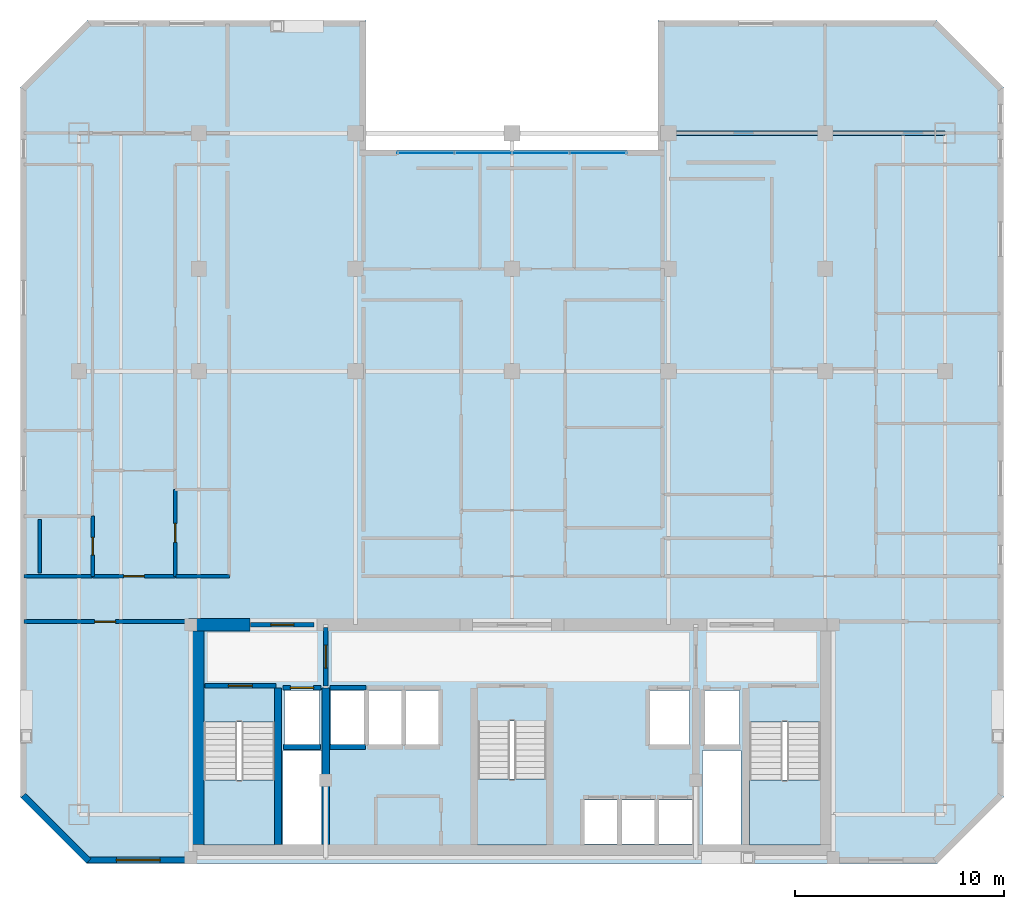
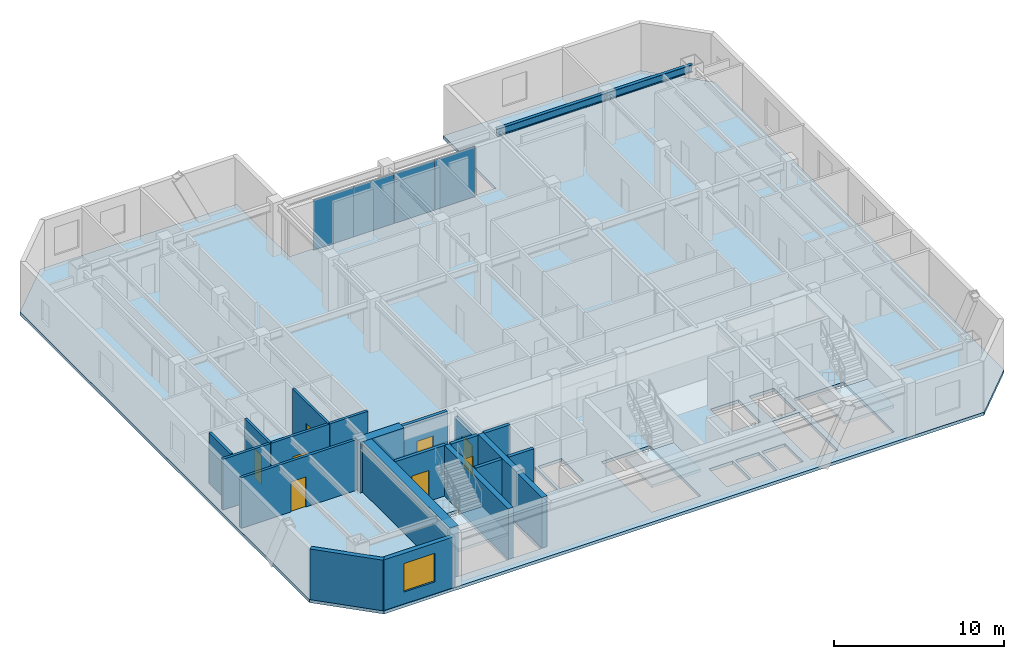
# One storey, part 4 of 10: 20 walls, 8 doors, 4 plates, 4 slabs, 2 beams, 1 window, 9 openings, 4 elements without a shape of their own.
"""IFC4 building model written with IfcOpenShell, lengths in metres."""

import ifcopenshell
import ifcopenshell.guid

model = None  # the IFC model being written
_history = None  # IfcOwnerHistory: only IFC2X3 demands one
_inside = {}  # id of a spatial element -> (the spatial element, [elements in it])
_under = {}  # id of a project, library or spatial element -> (it, [spatial elements below it])
_declared = {}  # id of a project -> (the project, [libraries it declares])
_typed = {}  # id of a type object -> (the type object, [elements of that type])
_made_of = {}  # id of a material, layer set ... -> (it, [elements and type objects made of it])


def new_model(schema):
    """Start an empty IFC model of exactly this schema.

    Asked for "IFC4X3", IfcOpenShell would pick the latest addendum, in which some entities
    have other attributes; the version numbers below select the first issue.
    IFC2X3 requires an IfcOwnerHistory on every rooted entity: one is made here for all.
    """
    global model, _history
    if schema == "IFC4X3":
        model = ifcopenshell.file(schema_version=(4, 3, 0, 0))
    else:
        model = ifcopenshell.file(schema=schema)
    _inside.clear()
    _under.clear()
    _declared.clear()
    _typed.clear()
    _made_of.clear()
    _history = None
    if model.schema == "IFC2X3":
        org = make("IfcOrganization", Name="unknown")
        user = make(
            "IfcPersonAndOrganization",
            ThePerson=make("IfcPerson", FamilyName="unknown"),
            TheOrganization=org,
        )
        app = make(
            "IfcApplication",
            ApplicationDeveloper=org,
            Version="unknown",
            ApplicationFullName="unknown",
            ApplicationIdentifier="unknown",
        )
        _history = make(
            "IfcOwnerHistory",
            OwningUser=user,
            OwningApplication=app,
            ChangeAction="ADDED",
            CreationDate=0,
        )
    return model


def make(cls, **values):
    """One entity of the class cls with the attributes given. An attribute that is None is left unset."""
    return model.create_entity(
        cls, **{name: value for name, value in values.items() if value is not None}
    )


def rooted(cls, **values):
    """An entity with a GlobalId (a new one), such as an element, a storey or a relation."""
    return make(cls, GlobalId=ifcopenshell.guid.new(), OwnerHistory=_history, **values)


def si_unit(unit_type, name, prefix=None):
    """IfcSIUnit, for example si_unit("LENGTHUNIT", "METRE", prefix="MILLI")."""
    return make("IfcSIUnit", UnitType=unit_type, Prefix=prefix, Name=name)


def assignment(units):
    """IfcUnitAssignment: the units of a project."""
    return None if units is None else make("IfcUnitAssignment", Units=units)


def point(xyz):
    """IfcCartesianPoint."""
    return None if xyz is None else make("IfcCartesianPoint", Coordinates=xyz)


def direction(xyz):
    """IfcDirection."""
    return None if xyz is None else make("IfcDirection", DirectionRatios=xyz)


def frame(location, z_axis=None, x_axis=None):
    """IfcAxis2Placement3D, a coordinate frame: its origin and axes. An axis left out is left unset."""
    return make(
        "IfcAxis2Placement3D",
        Location=point(location),
        Axis=direction(z_axis),
        RefDirection=direction(x_axis),
    )


def frame_2d(location, x_axis=None):
    """IfcAxis2Placement2D, a coordinate frame in the plane: its origin and x axis."""
    return make(
        "IfcAxis2Placement2D", Location=point(location), RefDirection=direction(x_axis)
    )


def origin():
    """The frame at (0, 0, 0) with its axes left unset."""
    return frame((0.0, 0.0, 0.0))


def origin_2d():
    """The frame at (0, 0) in the plane with its x axis left unset."""
    return frame_2d((0.0, 0.0))


def place(relative_to, where):
    """IfcLocalPlacement: puts the frame where relative to a parent placement (None: the world)."""
    return make(
        "IfcLocalPlacement", PlacementRelTo=relative_to, RelativePlacement=where
    )


def context(
    kind, dimensions, precision=None, world=None, true_north=None, identifier=None
):
    """IfcGeometricRepresentationContext, for example the 3D "Model" context."""
    return make(
        "IfcGeometricRepresentationContext",
        ContextIdentifier=identifier,
        ContextType=kind,
        CoordinateSpaceDimension=dimensions,
        Precision=precision,
        WorldCoordinateSystem=world,
        TrueNorth=true_north,
    )


def subcontext(parent, identifier, kind, view, scale=None):
    """IfcGeometricRepresentationSubContext, for example "Body" below "Model"."""
    return make(
        "IfcGeometricRepresentationSubContext",
        ContextIdentifier=identifier,
        ContextType=kind,
        ParentContext=parent,
        TargetScale=scale,
        TargetView=view,
    )


def project(units=None, contexts=None):
    """IfcProject with its units and contexts."""
    return rooted(
        "IfcProject",
        Name="project",
        RepresentationContexts=contexts,
        UnitsInContext=assignment(units),
    )


def spatial(cls, under=None, at=None, **own):
    """A site, building, storey or space (cls), placed at a placement, below another one or the project."""
    s = rooted(cls, ObjectPlacement=at, **own)
    if under is not None:
        _under.setdefault(under.id(), (under, []))[1].append(s)
    return s


def polyline(points):
    """IfcPolyline through the points."""
    return make("IfcPolyline", Points=[point(p) for p in points])


def profile(cls, at=None, kind="AREA", **sizes):
    """A parametric profile (cls). Its sizes go by their IFC names, for example OverallWidth=200.0."""
    return make(cls, ProfileType=kind, Position=at, **sizes)


def rectangle(**sizes):
    """IfcRectangleProfileDef."""
    return profile("IfcRectangleProfileDef", **sizes)


def i_section(**sizes):
    """IfcIShapeProfileDef."""
    return profile("IfcIShapeProfileDef", **sizes)


def outline(outer, holes=None, kind="AREA"):
    """IfcArbitraryClosedProfileDef: a profile drawn as a closed curve; with holes, ...WithVoids."""
    if holes is None:
        return make("IfcArbitraryClosedProfileDef", ProfileType=kind, OuterCurve=outer)
    return make(
        "IfcArbitraryProfileDefWithVoids",
        ProfileType=kind,
        OuterCurve=outer,
        InnerCurves=holes,
    )


def extrude(swept, where, along, depth):
    """IfcExtrudedAreaSolid: the profile swept, set in the frame where, extruded along a direction by depth."""
    return make(
        "IfcExtrudedAreaSolid",
        SweptArea=swept,
        Position=where,
        ExtrudedDirection=direction(along),
        Depth=depth,
    )


def shape(context_of_items, identifier, shape_type, items):
    """IfcShapeRepresentation: the items that make up one representation, for example the "Body"."""
    return make(
        "IfcShapeRepresentation",
        ContextOfItems=context_of_items,
        RepresentationIdentifier=identifier,
        RepresentationType=shape_type,
        Items=items,
    )


def material(Name=None, Category=None):
    """IfcMaterial."""
    return make("IfcMaterial", Name=Name, Category=Category)


def layer(
    of_material, thickness, ventilated=None, Name=None, Category=None, Priority=None
):
    """IfcMaterialLayer: one layer of a wall or slab, of a material (None: an air gap)."""
    return make(
        "IfcMaterialLayer",
        Material=of_material,
        LayerThickness=thickness,
        IsVentilated=ventilated,
        Name=Name,
        Category=Category,
        Priority=Priority,
    )


def layer_set(layers, Name=None):
    """IfcMaterialLayerSet."""
    return make("IfcMaterialLayerSet", MaterialLayers=layers, LayerSetName=Name)


def material_profile(
    of_material, cross_section, Name=None, Category=None, Priority=None
):
    """IfcMaterialProfile: a cross section and its material."""
    return make(
        "IfcMaterialProfile",
        Name=Name,
        Material=of_material,
        Profile=cross_section,
        Priority=Priority,
        Category=Category,
    )


def profile_set(profiles, Name=None, composite=None):
    """IfcMaterialProfileSet."""
    return make(
        "IfcMaterialProfileSet",
        Name=Name,
        MaterialProfiles=profiles,
        CompositeProfile=composite,
    )


def made_of(thing, what):
    """Note that an element or type object is made of a material, layer set ...; save() writes the relation."""
    if what is not None:
        _made_of.setdefault(what.id(), (what, []))[1].append(thing)
    return thing


def type_object(cls, material=None, **own):
    """A type object (cls), such as IfcWallType, which elements share."""
    return made_of(rooted(cls, **own), material)


def element(
    cls,
    number,
    at=None,
    inside=None,
    cuts=None,
    type_object=None,
    material=None,
    context=None,
    identifier="Body",
    shape_type=None,
    held_by="IfcProductDefinitionShape",
    body=None,
    shapes=None,
    **own,
):
    """One element of the class cls, such as IfcWall. Its Tag is "e" and its number.

    at: its placement. inside: the storey or other place that contains it. cuts: it is an
    opening in that element (IfcRelVoidsElement). A single representation is given by context,
    identifier, shape_type and body (its items); several are given by shapes. held_by: the class
    of the entity that holds the representations. save() writes the other relations.
    """
    e = rooted(cls, Tag="e%d" % number, ObjectPlacement=at, **own)
    if body is not None:
        shapes = [shape(context, identifier, shape_type, body)]
    if shapes is not None:
        e.Representation = make(held_by, Representations=shapes)
    if inside is not None:
        _inside.setdefault(inside.id(), (inside, []))[1].append(e)
    if cuts is not None:
        rooted(
            "IfcRelVoidsElement", RelatingBuildingElement=cuts, RelatedOpeningElement=e
        )
    if type_object is not None:
        _typed.setdefault(type_object.id(), (type_object, []))[1].append(e)
    return made_of(e, material)


def fill(opening, filler):
    """IfcRelFillsElement: the door or window that sits in an opening."""
    return rooted(
        "IfcRelFillsElement",
        RelatingOpeningElement=opening,
        RelatedBuildingElement=filler,
    )


def aggregate(whole, parts):
    """IfcRelAggregates: a whole, such as a stair, and the parts it consists of."""
    return rooted("IfcRelAggregates", RelatingObject=whole, RelatedObjects=parts)


def save(model, path):
    """Write the relations noted so far, then the file.

    IfcRelAggregates (storeys below a building ...), IfcRelContainedInSpatialStructure (elements
    in a storey), IfcRelDefinesByType, IfcRelAssociatesMaterial and IfcRelDeclares: one each for
    every whole, place, type object, material and project.
    """
    for whole, parts in _under.values():
        aggregate(whole, parts)
    for where, things in _inside.values():
        rooted(
            "IfcRelContainedInSpatialStructure",
            RelatedElements=things,
            RelatingStructure=where,
        )
    for kind, things in _typed.values():
        rooted("IfcRelDefinesByType", RelatedObjects=things, RelatingType=kind)
    for what, things in _made_of.values():
        rooted("IfcRelAssociatesMaterial", RelatedObjects=things, RelatingMaterial=what)
    for by, libraries in _declared.values():
        rooted("IfcRelDeclares", RelatingContext=by, RelatedDefinitions=libraries)
    model.write(path)


model = new_model("IFC4")

# Units and contexts
model_context = context("Model", 3, precision=1e-05, world=origin(), true_north=direction((0.0, 1.0)))
body_context = subcontext(model_context, "Body", "Model", "MODEL_VIEW")
ifc_project = project(units=[si_unit("LENGTHUNIT", "METRE"), si_unit("AREAUNIT", "SQUARE_METRE"), si_unit("VOLUMEUNIT", "CUBIC_METRE"), si_unit("PLANEANGLEUNIT", "RADIAN"), si_unit("MASSUNIT", "GRAM", prefix="KILO")], contexts=[model_context])

# Site, building, storey
site_placement = place(None, origin())
site = spatial("IfcSite", under=ifc_project, at=site_placement, CompositionType="ELEMENT")
building_placement = place(site_placement, origin())
building = spatial("IfcBuilding", under=site, at=building_placement, Name="Ventersveld Concourse Tower", CompositionType="ELEMENT")
storey_placement = place(building_placement, frame((0.0, 0.0, 208.0)))
storey = spatial("IfcBuildingStorey", under=building, at=storey_placement, Name="L51", CompositionType="ELEMENT", Elevation=208.0)

# Beams
ifc_material_1 = material(Name="Structural steel S355J2", Category="steel")
ifc_material_profile = material_profile(ifc_material_1, i_section(OverallWidth=0.2119140625, OverallDepth=0.54443359375, WebThickness=0.0126953125, FlangeThickness=0.021240234375, FilletRadius=0.0126953125, at=origin_2d()), Name="UB 533x210x122")
ifc_profile_set = profile_set([ifc_material_profile], Name="Structural steel S355J2")
beam_type = type_object("IfcBeamType", Name="GRD-UB533H", PredefinedType="T_BEAM", material=ifc_profile_set)
beam_1_placement = place(storey_placement, frame((36.25, 35.0, 3.357666015625), z_axis=(1.0, 0.0, 0.0), x_axis=(0.0, 1.0, 0.0)))
element("IfcBeam", 1, at=beam_1_placement, inside=storey, type_object=beam_type, Name="L51 E-W Grid Girder Y=35.00 #5", PredefinedType="T_BEAM", context=body_context, shape_type="SweptSolid", body=[
    extrude(i_section(OverallWidth=0.2119140625, OverallDepth=0.54443359375, WebThickness=0.0126953125, FlangeThickness=0.021240234375, FilletRadius=0.0126953125, at=origin_2d()), origin(), (0.0, 0.0, 1.0), 7.5),
])
beam_2_placement = place(storey_placement, frame((43.75, 35.0, 3.357666015625), z_axis=(1.0, 0.0, 0.0), x_axis=(0.0, 1.0, 0.0)))
element("IfcBeam", 2, at=beam_2_placement, inside=storey, type_object=beam_type, Name="L51 E-W Grid Girder Y=35.00 #6", PredefinedType="T_BEAM", context=body_context, shape_type="SweptSolid", body=[
    extrude(i_section(OverallWidth=0.2119140625, OverallDepth=0.54443359375, WebThickness=0.0126953125, FlangeThickness=0.021240234375, FilletRadius=0.0126953125, at=origin_2d()), origin(), (0.0, 0.0, 1.0), 5.75),
])

# Curtain wall, plates
ifc_material_2 = material(Name="Anodised aluminium EN AW-6063-T6", Category="aluminium")
curtain_wall_type = type_object("IfcCurtainWallType", Name="CW-SG-4", PredefinedType="NOTDEFINED", material=ifc_material_2)
curtain_wall_placement = place(storey_placement, origin())
curtain_wall = element("IfcCurtainWall", 3, at=curtain_wall_placement, inside=storey, type_object=curtain_wall_type, Name="L51 L51 Sky Garden Recessed Curtain Wall", PredefinedType="NOTDEFINED")
ifc_material_3 = material(Name="Low-E double glazing IGU", Category="glass")
ifc_layer_1 = layer(ifc_material_3, 0.02392578125)
ifc_layer_set_1 = layer_set([ifc_layer_1], Name="Low-E double glazing IGU")
plate_type = type_object("IfcPlateType", Name="CWP-GLZ-24", PredefinedType="CURTAIN_PANEL", material=ifc_layer_set_1)
plate_1_placement = place(storey_placement, frame((24.625, 34.050048828125, 0.02001953125), z_axis=(0.0, 0.0, 1.0), x_axis=(1.0, 0.0, 0.0)))
plate_1 = element("IfcPlate", 4, at=plate_1_placement, type_object=plate_type, Name="CW-L51-SG Glazed Panel 01-1", PredefinedType="CURTAIN_PANEL", context=body_context, shape_type="SweptSolid", body=[
    extrude(rectangle(XDim=2.739990234375, YDim=0.02392578125, at=origin_2d()), origin(), (0.0, 0.0, 1.0), 3.590087890625),
])
plate_2_placement = place(storey_placement, frame((27.375, 34.050048828125, 0.02001953125), z_axis=(0.0, 0.0, 1.0), x_axis=(1.0, 0.0, 0.0)))
plate_2 = element("IfcPlate", 5, at=plate_2_placement, type_object=plate_type, Name="CW-L51-SG Glazed Panel 02-1", PredefinedType="CURTAIN_PANEL", context=body_context, shape_type="SweptSolid", body=[
    extrude(rectangle(XDim=2.739990234375, YDim=0.02392578125, at=origin_2d()), origin(), (0.0, 0.0, 1.0), 3.590087890625),
])
plate_3_placement = place(storey_placement, frame((30.125, 34.050048828125, 0.02001953125), z_axis=(0.0, 0.0, 1.0), x_axis=(1.0, 0.0, 0.0)))
plate_3 = element("IfcPlate", 6, at=plate_3_placement, type_object=plate_type, Name="CW-L51-SG Glazed Panel 03-1", PredefinedType="CURTAIN_PANEL", context=body_context, shape_type="SweptSolid", body=[
    extrude(rectangle(XDim=2.739990234375, YDim=0.02392578125, at=origin_2d()), origin(), (0.0, 0.0, 1.0), 3.590087890625),
])
plate_4_placement = place(storey_placement, frame((32.875, 34.050048828125, 0.02001953125), z_axis=(0.0, 0.0, 1.0), x_axis=(1.0, 0.0, 0.0)))
plate_4 = element("IfcPlate", 7, at=plate_4_placement, type_object=plate_type, Name="CW-L51-SG Glazed Panel 04-1", PredefinedType="CURTAIN_PANEL", context=body_context, shape_type="SweptSolid", body=[
    extrude(rectangle(XDim=2.739990234375, YDim=0.02392578125, at=origin_2d()), origin(), (0.0, 0.0, 1.0), 3.590087890625),
])
aggregate(curtain_wall, [plate_1, plate_2, plate_3, plate_4])

# Slab
ifc_material_4 = material(Name="Concrete C50/60", Category="concrete")
ifc_layer_2 = layer(ifc_material_4, 0.219970703125)
ifc_layer_set_2 = layer_set([ifc_layer_2], Name="Concrete C50/60")
slab_type_1 = type_object("IfcSlabType", Name="SL-FLR-220", PredefinedType="FLOOR", material=ifc_layer_set_2)
slab_1_placement = place(storey_placement, frame((0.0, 0.0, -0.219970703125)))
element("IfcSlab", 8, at=slab_1_placement, inside=storey, type_object=slab_type_1, Name="L51 Composite Floor Slab", PredefinedType="FLOOR", context=body_context, shape_type="SweptSolid", body=[
    extrude(outline(polyline([(8.39990234375, 0.0), (49.10009765625, 0.0), (52.300048828125, 3.199951171875), (52.300048828125, 37.199951171875), (49.10009765625, 40.39990234375), (35.75, 40.39990234375), (35.75, 34.199951171875), (21.75, 34.199951171875), (21.75, 40.39990234375), (8.39990234375, 40.39990234375), (5.199951171875, 37.199951171875), (5.199951171875, 3.199951171875), (8.39990234375, 0.0)]), holes=[polyline([(13.97998046875, 6.794921875), (13.97998046875, 0.89990234375), (17.3798828125, 0.89990234375), (17.3798828125, 6.794921875), (13.97998046875, 6.794921875)]), polyline([(40.1201171875, 6.794921875), (40.1201171875, 0.89990234375), (43.52001953125, 0.89990234375), (43.52001953125, 6.794921875), (40.1201171875, 6.794921875)]), polyline([(27.10009765625, 6.844970703125), (27.10009765625, 0.89990234375), (30.39990234375, 0.89990234375), (30.39990234375, 6.844970703125), (27.10009765625, 6.844970703125)]), polyline([(17.85009765625, 5.699951171875), (19.530029296875, 5.699951171875), (19.530029296875, 8.300048828125), (17.85009765625, 8.300048828125), (17.85009765625, 5.699951171875)]), polyline([(37.969970703125, 5.699951171875), (39.64990234375, 5.699951171875), (39.64990234375, 8.300048828125), (37.969970703125, 8.300048828125), (37.969970703125, 5.699951171875)]), polyline([(35.35009765625, 5.699951171875), (37.25, 5.699951171875), (37.25, 8.300048828125), (35.35009765625, 8.300048828125), (35.35009765625, 5.699951171875)]), polyline([(32.2099609375, 0.949951171875), (33.81005859375, 0.949951171875), (33.81005859375, 3.050048828125), (32.2099609375, 3.050048828125), (32.2099609375, 0.949951171875)]), polyline([(33.989990234375, 0.949951171875), (35.590087890625, 0.949951171875), (35.590087890625, 3.050048828125), (33.989990234375, 3.050048828125), (33.989990234375, 0.949951171875)]), polyline([(35.77001953125, 0.949951171875), (37.3701171875, 0.949951171875), (37.3701171875, 3.050048828125), (35.77001953125, 3.050048828125), (35.77001953125, 0.949951171875)]), polyline([(20.090087890625, 5.699951171875), (21.68994140625, 5.699951171875), (21.68994140625, 8.300048828125), (20.090087890625, 8.300048828125), (20.090087890625, 5.699951171875)]), polyline([(21.8701171875, 5.699951171875), (23.469970703125, 5.699951171875), (23.469970703125, 8.300048828125), (21.8701171875, 8.300048828125), (21.8701171875, 5.699951171875)]), polyline([(23.64990234375, 5.699951171875), (25.25, 5.699951171875), (25.25, 8.300048828125), (23.64990234375, 8.300048828125), (23.64990234375, 5.699951171875)]), polyline([(17.780029296875, 0.919921875), (19.6201171875, 0.919921875), (19.6201171875, 5.419921875), (17.780029296875, 5.419921875), (17.780029296875, 0.919921875)]), polyline([(37.8798828125, 0.919921875), (39.719970703125, 0.919921875), (39.719970703125, 5.419921875), (37.8798828125, 5.419921875), (37.8798828125, 0.919921875)])]), origin(), (0.0, 0.0, 1.0), 0.219970703125),
])

# Stair, slab
stair_type_1 = type_object("IfcStairType", Name="ST-DOG-160", PredefinedType="HALF_TURN_STAIR", material=ifc_material_4)
stair_1_placement = place(storey_placement, origin())
stair_1 = element("IfcStair", 9, at=stair_1_placement, inside=storey, type_object=stair_type_1, Name="L51 Protected Tower Escape Stair ST-01", PredefinedType="HALF_TURN_STAIR")
ifc_layer_3 = layer(ifc_material_4, 0.199951171875)
ifc_layer_set_3 = layer_set([ifc_layer_3], Name="Concrete C50/60")
slab_type_2 = type_object("IfcSlabType", Name="SL-LND-200", PredefinedType="LANDING", material=ifc_layer_set_3)
slab_2_placement = place(storey_placement, frame((0.0, 0.0, 1.72509765625)))
slab_2 = element("IfcSlab", 10, at=slab_2_placement, type_object=slab_type_2, Name="ST-01 landing 1", PredefinedType="LANDING", context=body_context, shape_type="SweptSolid", body=[
    extrude(outline(polyline([(13.97998046875, 4.0), (13.97998046875, 0.89990234375), (17.3798828125, 0.89990234375), (17.3798828125, 4.0), (13.97998046875, 4.0)])), origin(), (0.0, 0.0, 1.0), 0.199951171875),
])
aggregate(stair_1, [slab_2])

stair_2_placement = place(storey_placement, origin())
stair_2 = element("IfcStair", 11, at=stair_2_placement, inside=storey, type_object=stair_type_1, Name="L51 Protected Tower Escape Stair ST-02", PredefinedType="HALF_TURN_STAIR")
slab_3_placement = place(storey_placement, frame((0.0, 0.0, 1.72509765625)))
slab_3 = element("IfcSlab", 12, at=slab_3_placement, type_object=slab_type_2, Name="ST-02 landing 1", PredefinedType="LANDING", context=body_context, shape_type="SweptSolid", body=[
    extrude(outline(polyline([(40.1201171875, 4.0), (40.1201171875, 0.89990234375), (43.52001953125, 0.89990234375), (43.52001953125, 4.0), (40.1201171875, 4.0)])), origin(), (0.0, 0.0, 1.0), 0.199951171875),
])
aggregate(stair_2, [slab_3])

stair_type_2 = type_object("IfcStairType", Name="ST-DOG-155", PredefinedType="HALF_TURN_STAIR", material=ifc_material_4)
stair_3_placement = place(storey_placement, origin())
stair_3 = element("IfcStair", 13, at=stair_3_placement, inside=storey, type_object=stair_type_2, Name="L51 Protected Central Core Escape Stair ST-03", PredefinedType="HALF_TURN_STAIR")
slab_4_placement = place(storey_placement, frame((0.0, 0.0, 1.72509765625)))
slab_4 = element("IfcSlab", 14, at=slab_4_placement, type_object=slab_type_2, Name="ST-03 landing 1", PredefinedType="LANDING", context=body_context, shape_type="SweptSolid", body=[
    extrude(outline(polyline([(27.10009765625, 4.050048828125), (27.10009765625, 0.89990234375), (30.39990234375, 0.89990234375), (30.39990234375, 4.050048828125), (27.10009765625, 4.050048828125)])), origin(), (0.0, 0.0, 1.0), 0.199951171875),
])
aggregate(stair_3, [slab_4])

# Walls
ifc_layer_4 = layer(ifc_material_4, 0.35009765625)
ifc_layer_set_4 = layer_set([ifc_layer_4], Name="Concrete C50/60")
wall_type_1 = type_object("IfcWallType", Name="WL-CORE-350U", PredefinedType="SHEAR", material=ifc_layer_set_4)
for number, where, z_axis, x_axis, name in (
    (15, (17.5400390625, 0.919921875, 0.0), (0.0, 0.0, 1.0), (0.0, 1.0, 0.0), "L51 Core Internal Shear Web W-ST1-E"),
    (16, (19.820068359375, 0.919921875, 0.0), (0.0, 0.0, 1.0), (0.0, 1.0, 0.0), "L51 Core Internal Shear Web W-FF1-E"),
):
    element("IfcWall", number, at=place(storey_placement, frame(where, z_axis=z_axis, x_axis=x_axis)), inside=storey, type_object=wall_type_1, Name=name, PredefinedType="SHEAR", context=body_context, shape_type="SweptSolid", body=[
        extrude(rectangle(XDim=7.5, YDim=0.35009765625, at=frame_2d((3.75, 0.0))), origin(), (0.0, 0.0, 1.0), 3.6298828125),
    ])
ifc_layer_5 = layer(ifc_material_4, 0.60009765625)
ifc_layer_set_5 = layer_set([ifc_layer_5], Name="Concrete C50/60")
wall_type_2 = type_object("IfcWallType", Name="WL-CORE-600", PredefinedType="SHEAR", material=ifc_layer_set_5)
wall_1_placement = place(storey_placement, frame((13.699951171875, 0.919921875, 0.0), z_axis=(0.0, 0.0, 1.0), x_axis=(0.0, 1.0, 0.0)))
element("IfcWall", 17, at=wall_1_placement, inside=storey, type_object=wall_type_2, Name="L51 Rear Core West Shear Wall", PredefinedType="SHEAR", context=body_context, shape_type="SweptSolid", body=[
    extrude(rectangle(XDim=10.530029296875, YDim=0.60009765625, at=frame_2d((5.26513671875, 0.0))), origin(), (0.0, 0.0, 1.0), 3.6298828125),
])
wall_2_placement = place(storey_placement, frame((13.25, 11.449951171875, 0.0), z_axis=(0.0, 0.0, 1.0), x_axis=(1.0, 0.0, 0.0)))
element("IfcWall", 18, at=wall_2_placement, inside=storey, type_object=wall_type_2, Name="L51 Rear Core North Shear Wall NW", PredefinedType="SHEAR", context=body_context, shape_type="SweptSolid", body=[
    extrude(rectangle(XDim=2.949951171875, YDim=0.60009765625, at=frame_2d((1.47509765625, 0.0))), origin(), (0.0, 0.0, 1.0), 3.6298828125),
])

# Wall, opening, door
ifc_material_5 = material(Name="Fire-rated autoclaved aerated masonry blockwork", Category="masonry")
ifc_layer_6 = layer(ifc_material_5, 0.179931640625)
ifc_layer_set_6 = layer_set([ifc_layer_6], Name="Fire-rated autoclaved aerated masonry blockwork")
wall_type_3 = type_object("IfcWallType", Name="WL-CORR-180", PredefinedType="PARTITIONING", material=ifc_layer_set_6)
wall_3_placement = place(storey_placement, frame((5.37255859375, 11.60009765625, 0.0), z_axis=(0.0, 0.0, 1.0), x_axis=(1.0, 0.0, 0.0)))
wall_3 = element("IfcWall", 19, at=wall_3_placement, inside=storey, type_object=wall_type_3, Name="L51 Interior Partition SP-L51-SW-GAL-SP-L51-COR", PredefinedType="PARTITIONING", context=body_context, shape_type="SweptSolid", body=[
    extrude(rectangle(XDim=7.7724609375, YDim=0.179931640625, at=frame_2d((3.88623046875, 0.0))), origin(), (0.0, 0.0, 1.0), 3.6298828125),
])
opening_1_placement = place(wall_3_placement, frame((3.38623046875, 0.0, 0.0)))
opening_1 = element("IfcOpeningElement", 20, at=opening_1_placement, cuts=wall_3, Name="Opening FD3", PredefinedType="OPENING", context=body_context, shape_type="SweptSolid", body=[
    extrude(rectangle(XDim=1.0, YDim=2.14990234375, at=frame_2d((0.5, 1.074951171875))), frame((0.0, 0.10009765625, 0.0), z_axis=(0.0, -1.0, 0.0), x_axis=(1.0, 0.0, 0.0)), (0.0, 0.0, 1.0), 0.199951171875),
])
ifc_material_6 = material(Name="Solid-core hardwood veneer timber", Category="wood")
door_type_1 = type_object("IfcDoorType", Name="DR-FLAT-100", OperationType="NOTDEFINED", PredefinedType="DOOR", material=ifc_material_6)
door_1_placement = place(opening_1_placement, origin())
door_1 = element("IfcDoor", 21, at=door_1_placement, inside=storey, type_object=door_type_1, Name="L51 Interior Door SP-L51-SW-GAL to SP-L51-COR (D-L51-2476)", OperationType="SINGLE_SWING_RIGHT", OverallHeight=2.14990234375, OverallWidth=1.0, PredefinedType="DOOR", context=body_context, shape_type="SweptSolid", body=[
    extrude(rectangle(XDim=1.0, YDim=2.14990234375, at=frame_2d((0.5, 1.074951171875))), frame((0.0, 0.02490234375, 0.0), z_axis=(0.0, -1.0, 0.0), x_axis=(1.0, 0.0, 0.0)), (0.0, 0.0, 1.0), 0.050048828125),
])
fill(opening_1, door_1)

wall_4_placement = place(storey_placement, frame((8.65380859375, 13.77001953125, 0.0), z_axis=(0.0, 0.0, 1.0), x_axis=(1.0, 0.0, 0.0)))
wall_4 = element("IfcWall", 22, at=wall_4_placement, inside=storey, type_object=wall_type_3, Name="L51 Interior Partition SP-L51-COR-SP-L51-51NW-FOY", PredefinedType="PARTITIONING", context=body_context, shape_type="SweptSolid", body=[
    extrude(rectangle(XDim=3.969970703125, YDim=0.179931640625, at=frame_2d((1.98486328125, 0.0))), origin(), (0.0, 0.0, 1.0), 3.6298828125),
])
opening_2_placement = place(wall_4_placement, frame((1.485107421875, 0.0, 0.0)))
opening_2 = element("IfcOpeningElement", 23, at=opening_2_placement, cuts=wall_4, Name="Opening FD3", PredefinedType="OPENING", context=body_context, shape_type="SweptSolid", body=[
    extrude(rectangle(XDim=1.0, YDim=2.14990234375, at=frame_2d((0.5, 1.074951171875))), frame((0.0, 0.10009765625, 0.0), z_axis=(0.0, -1.0, 0.0), x_axis=(1.0, 0.0, 0.0)), (0.0, 0.0, 1.0), 0.199951171875),
])
door_2_placement = place(opening_2_placement, origin())
door_2 = element("IfcDoor", 24, at=door_2_placement, inside=storey, type_object=door_type_1, Name="L51 Interior Door SP-L51-COR to SP-L51-51NW-FOY (FD-L51-2478)", OperationType="SINGLE_SWING_RIGHT", OverallHeight=2.14990234375, OverallWidth=1.0, PredefinedType="DOOR", context=body_context, shape_type="SweptSolid", body=[
    extrude(rectangle(XDim=1.0, YDim=2.14990234375, at=frame_2d((0.5, 1.074951171875))), frame((0.0, 0.02490234375, 0.0), z_axis=(0.0, -1.0, 0.0), x_axis=(1.0, 0.0, 0.0)), (0.0, 0.0, 1.0), 0.050048828125),
])
fill(opening_2, door_2)

# Walls
wall_5_placement = place(storey_placement, frame((5.37255859375, 13.77001953125, 0.0), z_axis=(0.0, 0.0, 1.0), x_axis=(1.0, 0.0, 0.0)))
element("IfcWall", 25, at=wall_5_placement, inside=storey, type_object=wall_type_3, Name="L51 Interior Partition SP-L51-COR-SP-L51-51NW-BATH", PredefinedType="PARTITIONING", context=body_context, shape_type="SweptSolid", body=[
    extrude(rectangle(XDim=3.251220703125, YDim=0.179931640625, at=frame_2d((1.62548828125, 0.0))), origin(), (0.0, 0.0, 1.0), 3.6298828125),
])
wall_6_placement = place(storey_placement, frame((12.65380859375, 13.77001953125, 0.0), z_axis=(0.0, 0.0, 1.0), x_axis=(1.0, 0.0, 0.0)))
element("IfcWall", 26, at=wall_6_placement, inside=storey, type_object=wall_type_3, Name="L51 Interior Partition SP-L51-COR-SP-L51-51NW-KIT", PredefinedType="PARTITIONING", context=body_context, shape_type="SweptSolid", body=[
    extrude(rectangle(XDim=2.561279296875, YDim=0.179931640625, at=frame_2d((1.28076171875, 0.0))), origin(), (0.0, 0.0, 1.0), 3.6298828125),
])
ifc_layer_7 = layer(ifc_material_5, 0.219970703125)
ifc_layer_set_7 = layer_set([ifc_layer_7], Name="Fire-rated autoclaved aerated masonry blockwork")
wall_type_4 = type_object("IfcWallType", Name="WL-HOIST-220", PredefinedType="SOLIDWALL", material=ifc_layer_set_7)
wall_7_placement = place(storey_placement, frame((17.800048828125, 5.590087890625, 0.0), z_axis=(0.0, 0.0, 1.0), x_axis=(1.0, 0.0, 0.0)))
element("IfcWall", 27, at=wall_7_placement, inside=storey, type_object=wall_type_4, Name="L51 Lift Hoistway Back Wall FFL-01", PredefinedType="SOLIDWALL", context=body_context, shape_type="SweptSolid", body=[
    extrude(rectangle(XDim=1.780029296875, YDim=0.219970703125, at=frame_2d((0.89013671875, 0.0))), origin(), (0.0, 0.0, 1.0), 3.6298828125),
])

# Wall, opening, door
wall_8_placement = place(storey_placement, frame((17.780029296875, 8.429931640625, 0.0), z_axis=(0.0, 0.0, 1.0), x_axis=(1.0, 0.0, 0.0)))
wall_8 = element("IfcWall", 28, at=wall_8_placement, inside=storey, type_object=wall_type_4, Name="L51 Lift Hoistway Front Wall FFL-01", PredefinedType="SOLIDWALL", context=body_context, shape_type="SweptSolid", body=[
    extrude(rectangle(XDim=1.820068359375, YDim=0.219970703125, at=frame_2d((0.91015625, 0.0))), origin(), (0.0, 0.0, 1.0), 3.6298828125),
])
opening_3_placement = place(wall_8_placement, frame((0.35009765625, 0.0, 0.0)))
opening_3 = element("IfcOpeningElement", 29, at=opening_3_placement, cuts=wall_8, Name="Opening LD1", PredefinedType="OPENING", context=body_context, shape_type="SweptSolid", body=[
    extrude(rectangle(XDim=1.1201171875, YDim=2.25, at=frame_2d((0.56005859375, 1.125))), frame((0.0, 0.1201171875, 0.0), z_axis=(0.0, -1.0, 0.0), x_axis=(1.0, 0.0, 0.0)), (0.0, 0.0, 1.0), 0.239990234375),
])
ifc_material_7 = material(Name="Brushed stainless steel 316", Category="steel")
door_type_2 = type_object("IfcDoorType", Name="LD-FF-112", OperationType="SLIDING_TO_LEFT", PredefinedType="DOOR", material=ifc_material_7)
door_3_placement = place(opening_3_placement, origin())
door_3 = element("IfcDoor", 30, at=door_3_placement, inside=storey, type_object=door_type_2, Name="L51 Lift landing door FFL-01 (LD-L51-FFL-01)", OperationType="SLIDING_TO_LEFT", OverallHeight=2.25, OverallWidth=1.1201171875, PredefinedType="DOOR", context=body_context, shape_type="SweptSolid", body=[
    extrude(rectangle(XDim=1.1201171875, YDim=2.25, at=frame_2d((0.56005859375, 1.125))), frame((0.0, 0.02490234375, 0.0), z_axis=(0.0, -1.0, 0.0), x_axis=(1.0, 0.0, 0.0)), (0.0, 0.0, 1.0), 0.050048828125),
])
fill(opening_3, door_3)

# Walls
wall_9_placement = place(storey_placement, frame((20.0400390625, 5.590087890625, 0.0), z_axis=(0.0, 0.0, 1.0), x_axis=(1.0, 0.0, 0.0)))
element("IfcWall", 31, at=wall_9_placement, inside=storey, type_object=wall_type_4, Name="L51 Lift Hoistway Back Wall PH-01", PredefinedType="SOLIDWALL", context=body_context, shape_type="SweptSolid", body=[
    extrude(rectangle(XDim=1.699951171875, YDim=0.219970703125, at=frame_2d((0.85009765625, 0.0))), origin(), (0.0, 0.0, 1.0), 3.6298828125),
])
wall_10_placement = place(storey_placement, frame((20.02001953125, 8.429931640625, 0.0), z_axis=(0.0, 0.0, 1.0), x_axis=(1.0, 0.0, 0.0)))
element("IfcWall", 32, at=wall_10_placement, inside=storey, type_object=wall_type_4, Name="L51 Lift Hoistway Front Wall PH-01", PredefinedType="SOLIDWALL", context=body_context, shape_type="SweptSolid", body=[
    extrude(rectangle(XDim=1.739990234375, YDim=0.219970703125, at=frame_2d((0.8701171875, 0.0))), origin(), (0.0, 0.0, 1.0), 3.6298828125),
])

# Wall, opening, door
wall_11_placement = place(storey_placement, frame((14.0400390625, 8.52001953125, 0.0), z_axis=(0.0, 0.0, 1.0), x_axis=(1.0, 0.0, 0.0)))
wall_11 = element("IfcWall", 33, at=wall_11_placement, inside=storey, type_object=wall_type_4, Name="L51 Escape Stair ST01 Fire Wall", PredefinedType="SOLIDWALL", context=body_context, shape_type="SweptSolid", body=[
    extrude(rectangle(XDim=3.39990234375, YDim=0.219970703125, at=frame_2d((1.699951171875, 0.0))), origin(), (0.0, 0.0, 1.0), 3.6298828125),
])
opening_4_placement = place(wall_11_placement, frame((1.125, 0.0, 0.0)))
opening_4 = element("IfcOpeningElement", 34, at=opening_4_placement, cuts=wall_11, Name="Opening FD1", PredefinedType="OPENING", context=body_context, shape_type="SweptSolid", body=[
    extrude(rectangle(XDim=1.14990234375, YDim=2.199951171875, at=frame_2d((0.574951171875, 1.10009765625))), frame((0.0, 0.1201171875, 0.0), z_axis=(0.0, -1.0, 0.0), x_axis=(1.0, 0.0, 0.0)), (0.0, 0.0, 1.0), 0.239990234375),
])
ifc_material_8 = material(Name="Galvanised painted steel", Category="steel")
door_type_3 = type_object("IfcDoorType", Name="DR-STAIR-115", OperationType="NOTDEFINED", PredefinedType="DOOR", material=ifc_material_8)
door_4_placement = place(opening_4_placement, origin())
door_4 = element("IfcDoor", 35, at=door_4_placement, inside=storey, type_object=door_type_3, Name="L51 Escape Stair Door ST01 (SD-L51-2467)", OperationType="SINGLE_SWING_LEFT", OverallHeight=2.199951171875, OverallWidth=1.14990234375, PredefinedType="DOOR", context=body_context, shape_type="SweptSolid", body=[
    extrude(rectangle(XDim=1.14990234375, YDim=2.199951171875, at=frame_2d((0.574951171875, 1.10009765625))), frame((0.0, 0.02490234375, 0.0), z_axis=(0.0, -1.0, 0.0), x_axis=(1.0, 0.0, 0.0)), (0.0, 0.0, 1.0), 0.050048828125),
])
fill(opening_4, door_4)

wall_12_placement = place(storey_placement, frame((19.820068359375, 8.52001953125, 0.0), z_axis=(0.0, 0.0, 1.0), x_axis=(0.0, 1.0, 0.0)))
wall_12 = element("IfcWall", 36, at=wall_12_placement, inside=storey, type_object=wall_type_4, Name="L51 Firefighting Lobby Smoke-Stop Wall FFLW-SEP", PredefinedType="SOLIDWALL", context=body_context, shape_type="SweptSolid", body=[
    extrude(rectangle(XDim=2.800048828125, YDim=0.219970703125, at=frame_2d((1.39990234375, 0.0))), origin(), (0.0, 0.0, 1.0), 3.08544921875),
])
opening_5_placement = place(wall_12_placement, frame((0.85009765625, 0.0, 0.0)))
opening_5 = element("IfcOpeningElement", 37, at=opening_5_placement, cuts=wall_12, Name="Opening FD2", PredefinedType="OPENING", context=body_context, shape_type="SweptSolid", body=[
    extrude(rectangle(XDim=1.10009765625, YDim=2.199951171875, at=frame_2d((0.550048828125, 1.10009765625))), frame((0.0, 0.1201171875, 0.0), z_axis=(0.0, -1.0, 0.0), x_axis=(1.0, 0.0, 0.0)), (0.0, 0.0, 1.0), 0.239990234375),
])
door_type_4 = type_object("IfcDoorType", Name="DR-FFL-110", OperationType="NOTDEFINED", PredefinedType="DOOR", material=ifc_material_8)
door_5_placement = place(opening_5_placement, origin())
door_5 = element("IfcDoor", 38, at=door_5_placement, inside=storey, type_object=door_type_4, Name="L51 Firefighting Lobby Door FFLW-SEP (FD-L51-2470)", OperationType="SINGLE_SWING_LEFT", OverallHeight=2.199951171875, OverallWidth=1.10009765625, PredefinedType="DOOR", context=body_context, shape_type="SweptSolid", body=[
    extrude(rectangle(XDim=1.10009765625, YDim=2.199951171875, at=frame_2d((0.550048828125, 1.10009765625))), frame((0.0, 0.02490234375, 0.0), z_axis=(0.0, -1.0, 0.0), x_axis=(1.0, 0.0, 0.0)), (0.0, 0.0, 1.0), 0.050048828125),
])
fill(opening_5, door_5)

wall_13_placement = place(storey_placement, frame((16.22998046875, 11.449951171875, 0.0), z_axis=(0.0, 0.0, 1.0), x_axis=(1.0, 0.0, 0.0)))
wall_13 = element("IfcWall", 39, at=wall_13_placement, inside=storey, type_object=wall_type_4, Name="L51 Core North Fire Portal FFLW-OUT", PredefinedType="SOLIDWALL", context=body_context, shape_type="SweptSolid", body=[
    extrude(rectangle(XDim=3.0400390625, YDim=0.219970703125, at=frame_2d((1.52001953125, 0.0))), origin(), (0.0, 0.0, 1.0), 3.6298828125),
])
opening_6_placement = place(wall_13_placement, frame((0.969970703125, 0.0, 0.0)))
opening_6 = element("IfcOpeningElement", 40, at=opening_6_placement, cuts=wall_13, Name="Opening FD2", PredefinedType="OPENING", context=body_context, shape_type="SweptSolid", body=[
    extrude(rectangle(XDim=1.10009765625, YDim=2.199951171875, at=frame_2d((0.550048828125, 1.10009765625))), frame((0.0, 0.1201171875, 0.0), z_axis=(0.0, -1.0, 0.0), x_axis=(1.0, 0.0, 0.0)), (0.0, 0.0, 1.0), 0.239990234375),
])
door_6_placement = place(opening_6_placement, origin())
door_6 = element("IfcDoor", 41, at=door_6_placement, inside=storey, type_object=door_type_4, Name="L51 Core Lobby Fire Door FFLW-OUT (FD-L51-2472)", OperationType="SINGLE_SWING_RIGHT", OverallHeight=2.199951171875, OverallWidth=1.10009765625, PredefinedType="DOOR", context=body_context, shape_type="SweptSolid", body=[
    extrude(rectangle(XDim=1.10009765625, YDim=2.199951171875, at=frame_2d((0.550048828125, 1.10009765625))), frame((0.0, 0.02490234375, 0.0), z_axis=(0.0, -1.0, 0.0), x_axis=(1.0, 0.0, 0.0)), (0.0, 0.0, 1.0), 0.050048828125),
])
fill(opening_6, door_6)

ifc_material_9 = material(Name="Autoclaved aerated masonry blockwork", Category="masonry")
ifc_layer_8 = layer(ifc_material_9, 0.14990234375)
ifc_layer_set_8 = layer_set([ifc_layer_8], Name="Autoclaved aerated masonry blockwork")
wall_type_5 = type_object("IfcWallType", Name="WL-INT-150", PredefinedType="PARTITIONING", material=ifc_layer_set_8)
wall_14_placement = place(storey_placement, frame((12.61865234375, 13.764892578125, 0.0), z_axis=(0.0, 0.0, 1.0), x_axis=(0.0, 1.0, 0.0)))
wall_14 = element("IfcWall", 42, at=wall_14_placement, inside=storey, type_object=wall_type_5, Name="L51 Interior Partition SP-L51-51NW-FOY-SP-L51-51NW-KIT", PredefinedType="PARTITIONING", context=body_context, shape_type="SweptSolid", body=[
    extrude(rectangle(XDim=4.17138671875, YDim=0.14990234375, at=frame_2d((2.085693359375, 0.0))), origin(), (0.0, 0.0, 1.0), 3.6298828125),
])
opening_7_placement = place(wall_14_placement, frame((1.62548828125, 0.0, 0.0)))
opening_7 = element("IfcOpeningElement", 43, at=opening_7_placement, cuts=wall_14, Name="Opening ID1", PredefinedType="OPENING", context=body_context, shape_type="SweptSolid", body=[
    extrude(rectangle(XDim=0.919921875, YDim=2.10009765625, at=frame_2d((0.4599609375, 1.050048828125))), frame((0.0, 0.0849609375, 0.0), z_axis=(0.0, -1.0, 0.0), x_axis=(1.0, 0.0, 0.0)), (0.0, 0.0, 1.0), 0.169921875),
])
door_type_5 = type_object("IfcDoorType", Name="DR-ROOM-092", OperationType="NOTDEFINED", PredefinedType="DOOR", material=ifc_material_6)
door_7_placement = place(opening_7_placement, origin())
door_7 = element("IfcDoor", 44, at=door_7_placement, inside=storey, type_object=door_type_5, Name="L51 Interior Door SP-L51-51NW-FOY to SP-L51-51NW-KIT (D-L51-2484)", OperationType="SINGLE_SWING_RIGHT", OverallHeight=2.10009765625, OverallWidth=0.919921875, PredefinedType="DOOR", context=body_context, shape_type="SweptSolid", body=[
    extrude(rectangle(XDim=0.919921875, YDim=2.10009765625, at=frame_2d((0.4599609375, 1.050048828125))), frame((0.0, 0.02490234375, 0.0), z_axis=(0.0, -1.0, 0.0), x_axis=(1.0, 0.0, 0.0)), (0.0, 0.0, 1.0), 0.050048828125),
])
fill(opening_7, door_7)

# Wall, opening, window
ifc_material_10 = material(Name="Precast concrete C45/55", Category="concrete")
ifc_layer_9 = layer(ifc_material_10, 0.300048828125)
ifc_layer_set_9 = layer_set([ifc_layer_9], Name="Precast concrete C45/55")
wall_type_6 = type_object("IfcWallType", Name="WL-PREC-300", PredefinedType="SOLIDWALL", material=ifc_layer_set_9)
wall_15_placement = place(storey_placement, frame((8.43994140625, 0.179931640625, 0.0), z_axis=(0.0, 0.0, 1.0), x_axis=(1.0, 0.0, 0.0)))
wall_15 = element("IfcWall", 45, at=wall_15_placement, inside=storey, type_object=wall_type_6, Name="L51 South-West Flank Precast Wall", PredefinedType="SOLIDWALL", context=body_context, shape_type="SweptSolid", body=[
    extrude(rectangle(XDim=4.81005859375, YDim=0.300048828125, at=frame_2d((2.405029296875, 0.0))), origin(), (0.0, 0.0, 1.0), 3.6298828125),
])
opening_8_placement = place(wall_15_placement, frame((1.35498046875, 0.0, 0.85009765625)))
opening_8 = element("IfcOpeningElement", 46, at=opening_8_placement, cuts=wall_15, Name="Opening W7", PredefinedType="OPENING", context=body_context, shape_type="SweptSolid", body=[
    extrude(rectangle(XDim=2.10009765625, YDim=2.050048828125, at=frame_2d((1.050048828125, 1.02490234375))), frame((0.0, 0.16015625, 0.0), z_axis=(0.0, -1.0, 0.0), x_axis=(1.0, 0.0, 0.0)), (0.0, 0.0, 1.0), 0.320068359375),
])
ifc_material_11 = material(Name="Tempered acoustic Low-E IGU", Category="glass")
window_type = type_object("IfcWindowType", Name="WIN-210x205", PartitioningType="SINGLE_PANEL", PredefinedType="WINDOW", material=ifc_material_11)
window_placement = place(opening_8_placement, origin())
window = element("IfcWindow", 47, at=window_placement, inside=storey, type_object=window_type, Name="L51 Punched Low-E Window W-0717", OverallHeight=2.050048828125, OverallWidth=2.10009765625, PartitioningType="SINGLE_PANEL", PredefinedType="WINDOW", context=body_context, shape_type="SweptSolid", body=[
    extrude(rectangle(XDim=2.10009765625, YDim=2.050048828125, at=frame_2d((1.050048828125, 1.02490234375))), frame((0.0, 0.030029296875, 0.0), z_axis=(0.0, -1.0, 0.0), x_axis=(1.0, 0.0, 0.0)), (0.0, 0.0, 1.0), 0.06005859375),
])
fill(opening_8, window)

# Wall
wall_16_placement = place(storey_placement, frame((5.33447265625, 3.27783203125, 0.0), z_axis=(0.0, 0.0, 1.0), x_axis=(0.707106781187, -0.707106781187, 0.0)))
element("IfcWall", 48, at=wall_16_placement, inside=storey, type_object=wall_type_6, Name="L51 Highveld Precast Facade Wall E12", PredefinedType="SOLIDWALL", context=body_context, shape_type="SweptSolid", body=[
    extrude(rectangle(XDim=4.4453125, YDim=0.300048828125, at=frame_2d((2.22265625, 0.0))), origin(), (0.0, 0.0, 1.0), 3.6298828125),
])

# Wall, opening, door
ifc_layer_10 = layer(ifc_material_9, 0.1650390625)
ifc_layer_set_10 = layer_set([ifc_layer_10], Name="Autoclaved aerated masonry blockwork")
wall_type_7 = type_object("IfcWallType", Name="WL-WET-165", PredefinedType="PLUMBINGWALL", material=ifc_layer_set_10)
wall_17_placement = place(storey_placement, frame((8.65869140625, 13.764892578125, 0.0), z_axis=(0.0, 0.0, 1.0), x_axis=(0.0, 1.0, 0.0)))
wall_17 = element("IfcWall", 49, at=wall_17_placement, inside=storey, type_object=wall_type_7, Name="L51 Interior Partition SP-L51-51NW-FOY-SP-L51-51NW-BATH", PredefinedType="PLUMBINGWALL", context=body_context, shape_type="SweptSolid", body=[
    extrude(rectangle(XDim=2.885498046875, YDim=0.1650390625, at=frame_2d((1.44287109375, 0.0))), origin(), (0.0, 0.0, 1.0), 3.6298828125),
])
opening_9_placement = place(wall_17_placement, frame((1.017578125, 0.0, 0.0)))
opening_9 = element("IfcOpeningElement", 50, at=opening_9_placement, cuts=wall_17, Name="Opening ID2", PredefinedType="OPENING", context=body_context, shape_type="SweptSolid", body=[
    extrude(rectangle(XDim=0.85009765625, YDim=2.10009765625, at=frame_2d((0.425048828125, 1.050048828125))), frame((0.0, 0.092529296875, 0.0), z_axis=(0.0, -1.0, 0.0), x_axis=(1.0, 0.0, 0.0)), (0.0, 0.0, 1.0), 0.18505859375),
])
door_type_6 = type_object("IfcDoorType", Name="DR-BATH-085", OperationType="NOTDEFINED", PredefinedType="DOOR", material=ifc_material_6)
door_8_placement = place(opening_9_placement, origin())
door_8 = element("IfcDoor", 51, at=door_8_placement, inside=storey, type_object=door_type_6, Name="L51 Interior Door SP-L51-51NW-FOY to SP-L51-51NW-BATH (D-L51-2482)", OperationType="SINGLE_SWING_RIGHT", OverallHeight=2.10009765625, OverallWidth=0.85009765625, PredefinedType="DOOR", context=body_context, shape_type="SweptSolid", body=[
    extrude(rectangle(XDim=0.85009765625, YDim=2.10009765625, at=frame_2d((0.425048828125, 1.050048828125))), frame((0.0, 0.02490234375, 0.0), z_axis=(0.0, -1.0, 0.0), x_axis=(1.0, 0.0, 0.0)), (0.0, 0.0, 1.0), 0.050048828125),
])
fill(opening_9, door_8)

# Wall
wall_18_placement = place(storey_placement, frame((6.1201171875, 13.93505859375, 0.0), z_axis=(0.0, 0.0, 1.0), x_axis=(0.0, 1.0, 0.0)))
element("IfcWall", 52, at=wall_18_placement, inside=storey, type_object=wall_type_7, Name="L51 Room Enclosure Wall SP-L51-51NW-BATH", PredefinedType="PLUMBINGWALL", context=body_context, shape_type="SweptSolid", body=[
    extrude(rectangle(XDim=2.545166015625, YDim=0.1650390625, at=frame_2d((1.2724609375, 0.0))), origin(), (0.0, 0.0, 1.0), 3.6298828125),
])

save(model, "model.ifc")
